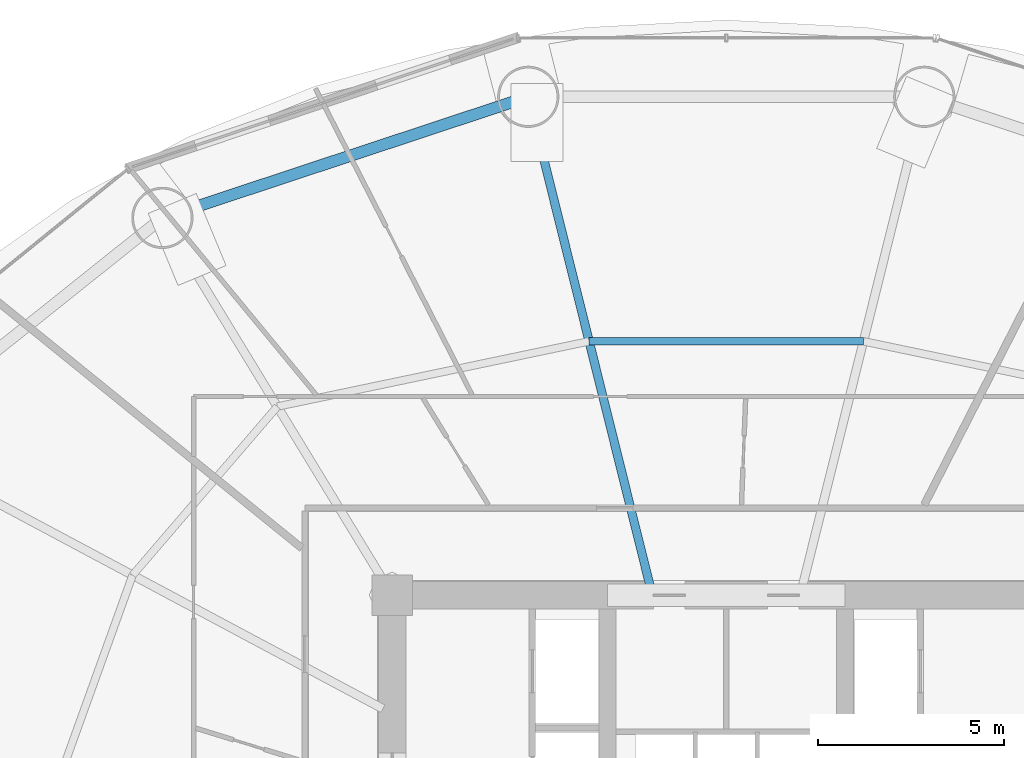
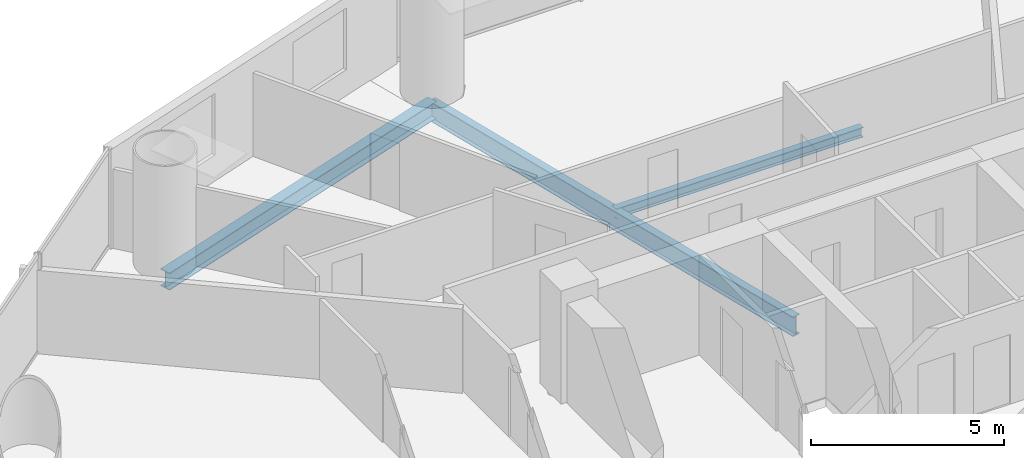
# One storey, part 17 of 29: 3 beams.
"""IFC4 building model written with IfcOpenShell, lengths in metres."""

from ifc_helpers import new_model, si_unit, direction, frame, origin, origin_2d, place, context, subcontext, project, spatial, i_section, extrude, material, material_profile, profile_set, type_object, element, save


model = new_model("IFC4")

# Units and contexts
model_context = context("Model", 3, precision=1e-05, world=origin(), true_north=direction((-0.2419218956, 0.970295726276)))
body_context = subcontext(model_context, "Body", "Model", "MODEL_VIEW")
ifc_project = project(units=[si_unit("LENGTHUNIT", "METRE"), si_unit("AREAUNIT", "SQUARE_METRE"), si_unit("VOLUMEUNIT", "CUBIC_METRE"), si_unit("PLANEANGLEUNIT", "RADIAN"), si_unit("MASSUNIT", "GRAM", prefix="KILO")], contexts=[model_context])

# Site, building, storey
site_placement = place(None, origin())
site = spatial("IfcSite", under=ifc_project, at=site_placement, CompositionType="ELEMENT")
building_placement = place(site_placement, origin())
building = spatial("IfcBuilding", under=site, at=building_placement, Name="Cobrevalo Terracotta Tower", CompositionType="ELEMENT")
storey_placement = place(building_placement, frame((0.0, 0.0, 70.800048828125)))
storey = spatial("IfcBuildingStorey", under=building, at=storey_placement, Name="L18", CompositionType="ELEMENT", Elevation=70.800048828125)

# Beams
ifc_material = material(Name="Steel S355", Category="steel")
ifc_material_profile_1 = material_profile(ifc_material, i_section(OverallWidth=0.22998046875, OverallDepth=0.616943359375, WebThickness=0.01318359375, FlangeThickness=0.022216796875, at=origin_2d()), Name="W 610x140")
ifc_profile_set_1 = profile_set([ifc_material_profile_1], Name="Steel S355")
beam_type_1 = type_object("IfcBeamType", Name="Structural Beam W 610x140 (Steel S355)", PredefinedType="BEAM", material=ifc_profile_set_1)
beam_1_placement = place(storey_placement, frame((32.664306640625, 48.230224609375, -0.588623046875), z_axis=(0.241596254786, -0.970376859614, 0.0), x_axis=(0.970376859614, 0.241596254786, 0.0)))
element("IfcBeam", 1, at=beam_1_placement, inside=storey, type_object=beam_type_1, Name="L18 radial floor girder 05", PredefinedType="BEAM", context=body_context, shape_type="SweptSolid", body=[
    extrude(i_section(OverallWidth=0.22998046875, OverallDepth=0.616943359375, WebThickness=0.01318359375, FlangeThickness=0.022216796875, at=origin_2d()), origin(), (0.0, 0.0, 1.0), 13.577392578125),
])
ifc_material_profile_2 = material_profile(ifc_material, i_section(OverallWidth=0.2041015625, OverallDepth=0.305908203125, WebThickness=0.008544921875, FlangeThickness=0.0146484375, at=origin_2d()), Name="W 310x67")
ifc_profile_set_2 = profile_set([ifc_material_profile_2], Name="Steel S355")
beam_type_2 = type_object("IfcBeamType", Name="Structural Joist W 310x67 (Steel S355)", PredefinedType="JOIST", material=ifc_profile_set_2)
beam_2_placement = place(storey_placement, frame((41.695556640625, 41.642578125, -0.43310546875), z_axis=(-1.0, 0.0, 0.0), x_axis=(0.0, -1.0, 0.0)))
element("IfcBeam", 2, at=beam_2_placement, inside=storey, type_object=beam_type_2, Name="L18 circumferential secondary floor joist 04", PredefinedType="JOIST", context=body_context, shape_type="SweptSolid", body=[
    extrude(i_section(OverallWidth=0.2041015625, OverallDepth=0.305908203125, WebThickness=0.008544921875, FlangeThickness=0.0146484375, at=origin_2d()), origin(), (0.0, 0.0, 1.0), 7.39111328125),
])
ifc_material_profile_3 = material_profile(ifc_material, i_section(OverallWidth=0.31201171875, OverallDepth=0.54296875, WebThickness=0.0126953125, FlangeThickness=0.020263671875, at=origin_2d()), Name="W 530x150")
ifc_profile_set_3 = profile_set([ifc_material_profile_3], Name="Steel S355")
beam_type_3 = type_object("IfcBeamType", Name="Structural Spandrel W 530x150 (Steel S355)", PredefinedType="SPANDREL", material=ifc_profile_set_3)
beam_3_placement = place(storey_placement, frame((32.664306640625, 48.230224609375, -0.551513671875), z_axis=(-0.949365190876, -0.314174687638, 0.0), x_axis=(0.314174687638, -0.949365190876, 0.0)))
element("IfcBeam", 3, at=beam_3_placement, inside=storey, type_object=beam_type_3, Name="L18 perimeter ring spandrel 05", PredefinedType="SPANDREL", context=body_context, shape_type="SweptSolid", body=[
    extrude(i_section(OverallWidth=0.31201171875, OverallDepth=0.54296875, WebThickness=0.0126953125, FlangeThickness=0.020263671875, at=origin_2d()), origin(), (0.0, 0.0, 1.0), 10.385009765625),
])

save(model, "model.ifc")
